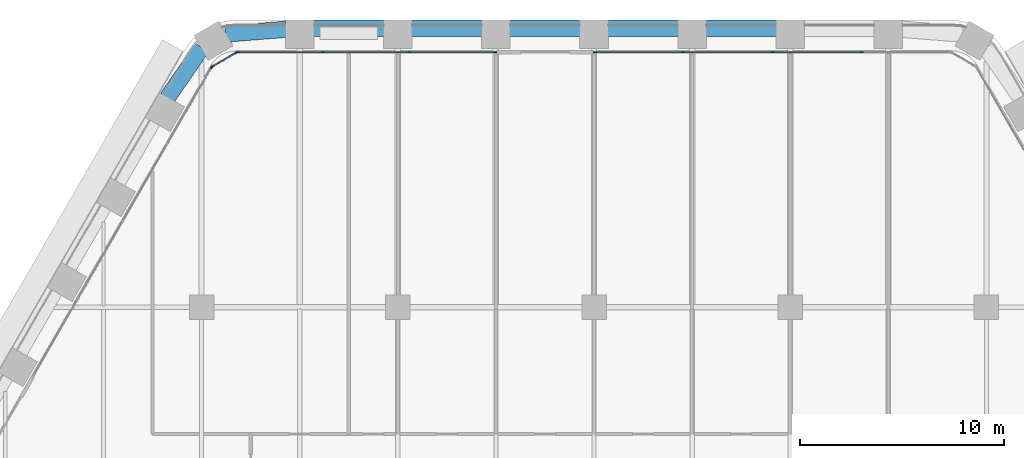
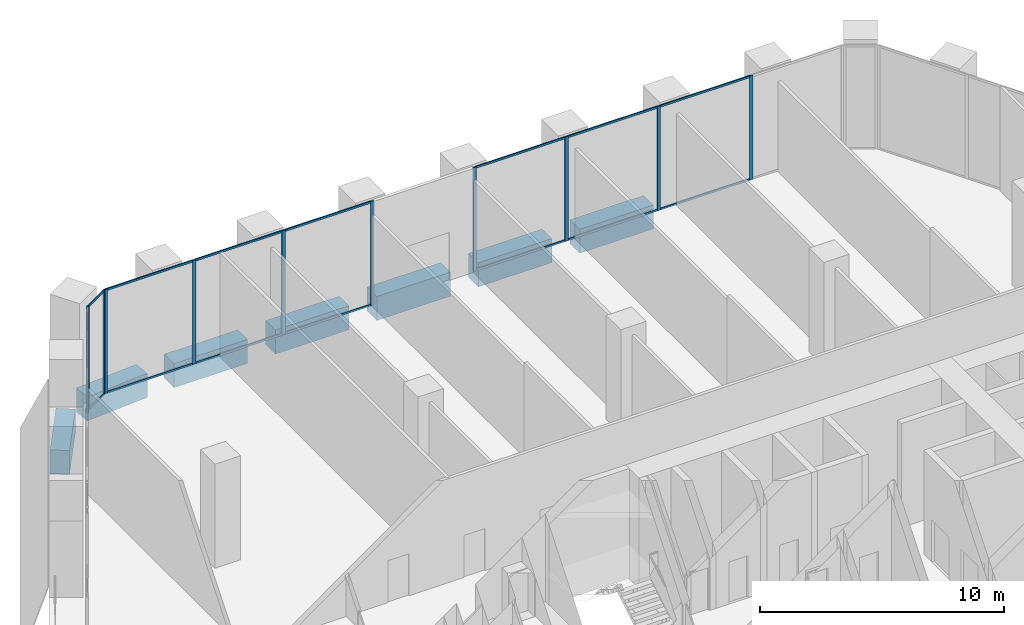
# One storey, part 13 of 27: 25 members, 7 beams, 4 elements without a shape of their own.
"""IFC4 building model written with IfcOpenShell, lengths in metres."""

from ifc_helpers import new_model, si_unit, direction, frame, origin, origin_2d, place, context, subcontext, project, spatial, rectangle, extrude, material, material_profile, profile_set, type_object, element, aggregate, save


model = new_model("IFC4")

# Units and contexts
model_context = context("Model", 3, precision=1e-05, world=origin(), true_north=direction((0.0, 1.0)))
body_context = subcontext(model_context, "Body", "Model", "MODEL_VIEW")
ifc_project = project(units=[si_unit("LENGTHUNIT", "METRE"), si_unit("AREAUNIT", "SQUARE_METRE"), si_unit("VOLUMEUNIT", "CUBIC_METRE"), si_unit("PLANEANGLEUNIT", "RADIAN"), si_unit("MASSUNIT", "GRAM", prefix="KILO")], contexts=[model_context])

# Site, building, storey
site_placement = place(None, origin())
site = spatial("IfcSite", under=ifc_project, at=site_placement, CompositionType="ELEMENT")
building_placement = place(site_placement, origin())
building = spatial("IfcBuilding", under=site, at=building_placement, Name="Kolab Exchange Tower", CompositionType="ELEMENT")
storey_placement = place(building_placement, frame((0.0, 0.0, 66.39990234375)))
storey = spatial("IfcBuildingStorey", under=building, at=storey_placement, Name="L12", CompositionType="ELEMENT", Elevation=66.39990234375)

# Beams
ifc_material_1 = material(Name="Concrete C80/95", Category="concrete")
ifc_material_profile_1 = material_profile(ifc_material_1, rectangle(XDim=0.800048828125, YDim=1.199951171875, at=origin_2d()), Name="RC800X1200")
ifc_profile_set_1 = profile_set([ifc_material_profile_1], Name="Concrete C80/95")
beam_type = type_object("IfcBeamType", Name="SPANDREL BEAM 800X1200 C80/95", PredefinedType="BEAM", material=ifc_profile_set_1)
beam_1_placement = place(storey_placement, frame((-18.03515625, 32.5654296875, -0.89990234375), z_axis=(0.996833978278, 0.07951112973, 0.0), x_axis=(-0.07951112973, 0.996833978278, 0.0)))
element("IfcBeam", 1, at=beam_1_placement, inside=storey, type_object=beam_type, Name="beam/L12/sp/F1-01", PredefinedType="BEAM", context=body_context, shape_type="SweptSolid", body=[
    extrude(rectangle(XDim=0.800048828125, YDim=1.199951171875, at=origin_2d()), origin(), (0.0, 0.0, 1.0), 2.984619140625),
])
for number, where, z_axis, x_axis, name in (
    (2, (-13.739990234375, 32.85546875, -0.89990234375), (1.0, 0.0, 0.0), (0.0, 1.0, 0.0), "beam/L12/sp/F1-02"),
    (3, (-8.93994140625, 32.85546875, -0.89990234375), (1.0, 0.0, 0.0), (0.0, 1.0, 0.0), "beam/L12/sp/F1-03"),
    (4, (-4.139892578125, 32.85546875, -0.89990234375), (1.0, 0.0, 0.0), (0.0, 1.0, 0.0), "beam/L12/sp/F1-04"),
    (5, (0.659912109375, 32.85546875, -0.89990234375), (1.0, 0.0, 0.0), (0.0, 1.0, 0.0), "beam/L12/sp/F1-05"),
    (6, (5.4599609375, 32.85546875, -0.89990234375), (1.0, 0.0, 0.0), (0.0, 1.0, 0.0), "beam/L12/sp/F1-06"),
):
    element("IfcBeam", number, at=place(storey_placement, frame(where, z_axis=z_axis, x_axis=x_axis)), inside=storey, type_object=beam_type, Name=name, PredefinedType="BEAM", context=body_context, shape_type="SweptSolid", body=[
        extrude(rectangle(XDim=0.800048828125, YDim=1.199951171875, at=origin_2d()), origin(), (0.0, 0.0, 1.0), 3.47998046875),
    ])
beam_2_placement = place(storey_placement, frame((-20.8779296875, 29.44384765625, -0.89990234375), z_axis=(0.567247290755, 0.823547516013, 0.0), x_axis=(-0.823547516013, 0.567247290755, 0.0)))
element("IfcBeam", 7, at=beam_2_placement, inside=storey, type_object=beam_type, Name="beam/L12/sp/F6-08", PredefinedType="BEAM", context=body_context, shape_type="SweptSolid", body=[
    extrude(rectangle(XDim=0.800048828125, YDim=1.199951171875, at=origin_2d()), origin(), (0.0, 0.0, 1.0), 2.984375),
])

# Curtain wall, members
ifc_material_2 = material(Name="Aluminium EN AW-6063 T6", Category="aluminium")
curtain_wall_type = type_object("IfcCurtainWallType", Name="UNITISED LOW ZONE CURTAIN WALL", PredefinedType="NOTDEFINED", material=ifc_material_2)
curtain_wall_1_placement = place(storey_placement, origin())
curtain_wall_1 = element("IfcCurtainWall", 8, at=curtain_wall_1_placement, inside=storey, type_object=curtain_wall_type, Name="cw/L12/F1-1", PredefinedType="NOTDEFINED")
ifc_material_profile_2 = material_profile(ifc_material_2, rectangle(XDim=0.06005859375, YDim=0.159912109375, at=origin_2d()), Name="RECT 60X160")
ifc_profile_set_2 = profile_set([ifc_material_profile_2], Name="Aluminium EN AW-6063 T6")
member_type_1 = type_object("IfcMemberType", Name="UNITISED LOW ZONE MULLION 60 X 160", PredefinedType="MULLION", material=ifc_profile_set_2)
member_1_placement = place(storey_placement, frame((-17.43798828125, 31.67529296875, 0.0), z_axis=(0.0, 0.0, 1.0), x_axis=(0.0, 1.0, 0.0)))
member_1 = element("IfcMember", 9, at=member_1_placement, type_object=member_type_1, Name="CW1 mullion 1", PredefinedType="MULLION", context=body_context, shape_type="SweptSolid", body=[
    extrude(rectangle(XDim=0.06005859375, YDim=0.159912109375, at=origin_2d()), origin(), (0.0, 0.0, 1.0), 5.2001953125),
])
member_2_placement = place(storey_placement, frame((-13.245361328125, 31.67529296875, 0.0), z_axis=(0.0, 0.0, 1.0), x_axis=(0.0, 1.0, 0.0)))
member_2 = element("IfcMember", 10, at=member_2_placement, type_object=member_type_1, Name="CW1 mullion 2", PredefinedType="MULLION", context=body_context, shape_type="SweptSolid", body=[
    extrude(rectangle(XDim=0.06005859375, YDim=0.159912109375, at=origin_2d()), origin(), (0.0, 0.0, 1.0), 5.2001953125),
])
member_3_placement = place(storey_placement, frame((-9.022705078125, 31.67529296875, 0.0), z_axis=(0.0, 0.0, 1.0), x_axis=(0.0, 1.0, 0.0)))
member_3 = element("IfcMember", 11, at=member_3_placement, type_object=member_type_1, Name="CW1 mullion 3", PredefinedType="MULLION", context=body_context, shape_type="SweptSolid", body=[
    extrude(rectangle(XDim=0.06005859375, YDim=0.159912109375, at=origin_2d()), origin(), (0.0, 0.0, 1.0), 5.2001953125),
])
member_4_placement = place(storey_placement, frame((-4.830078125, 31.67529296875, 0.0), z_axis=(0.0, 0.0, 1.0), x_axis=(0.0, 1.0, 0.0)))
member_4 = element("IfcMember", 12, at=member_4_placement, type_object=member_type_1, Name="CW1 mullion 4", PredefinedType="MULLION", context=body_context, shape_type="SweptSolid", body=[
    extrude(rectangle(XDim=0.06005859375, YDim=0.159912109375, at=origin_2d()), origin(), (0.0, 0.0, 1.0), 5.2001953125),
])

curtain_wall_2_placement = place(storey_placement, origin())
curtain_wall_2 = element("IfcCurtainWall", 13, at=curtain_wall_2_placement, inside=storey, type_object=curtain_wall_type, Name="cw/L12/F1-2", PredefinedType="NOTDEFINED")
member_5_placement = place(storey_placement, frame((0.030029296875, 31.67529296875, 0.0), z_axis=(0.0, 0.0, 1.0), x_axis=(0.0, 1.0, 0.0)))
member_5 = element("IfcMember", 14, at=member_5_placement, type_object=member_type_1, Name="CW1 mullion 1", PredefinedType="MULLION", context=body_context, shape_type="SweptSolid", body=[
    extrude(rectangle(XDim=0.06005859375, YDim=0.159912109375, at=origin_2d()), origin(), (0.0, 0.0, 1.0), 5.2001953125),
])
member_6_placement = place(storey_placement, frame((4.366943359375, 31.67529296875, 0.0), z_axis=(0.0, 0.0, 1.0), x_axis=(0.0, 1.0, 0.0)))
member_6 = element("IfcMember", 15, at=member_6_placement, type_object=member_type_1, Name="CW1 mullion 2", PredefinedType="MULLION", context=body_context, shape_type="SweptSolid", body=[
    extrude(rectangle(XDim=0.06005859375, YDim=0.159912109375, at=origin_2d()), origin(), (0.0, 0.0, 1.0), 5.2001953125),
])
member_7_placement = place(storey_placement, frame((8.73388671875, 31.67529296875, 0.0), z_axis=(0.0, 0.0, 1.0), x_axis=(0.0, 1.0, 0.0)))
member_7 = element("IfcMember", 16, at=member_7_placement, type_object=member_type_1, Name="CW1 mullion 3", PredefinedType="MULLION", context=body_context, shape_type="SweptSolid", body=[
    extrude(rectangle(XDim=0.06005859375, YDim=0.159912109375, at=origin_2d()), origin(), (0.0, 0.0, 1.0), 5.2001953125),
])
member_8_placement = place(storey_placement, frame((13.10107421875, 31.67529296875, 0.0), z_axis=(0.0, 0.0, 1.0), x_axis=(0.0, 1.0, 0.0)))
member_8 = element("IfcMember", 17, at=member_8_placement, type_object=member_type_1, Name="CW1 mullion 4", PredefinedType="MULLION", context=body_context, shape_type="SweptSolid", body=[
    extrude(rectangle(XDim=0.06005859375, YDim=0.159912109375, at=origin_2d()), origin(), (0.0, 0.0, 1.0), 5.2001953125),
])

# Curtain wall, member
curtain_wall_3_placement = place(storey_placement, origin())
curtain_wall_3 = element("IfcCurtainWall", 18, at=curtain_wall_3_placement, inside=storey, type_object=curtain_wall_type, Name="cw/L12/F6-2", PredefinedType="NOTDEFINED")
member_9_placement = place(storey_placement, frame((-18.712646484375, 30.939453125, 0.0), z_axis=(0.0, 0.0, 1.0), x_axis=(-0.866025397318, 0.5000000112, 0.0)))
member_9 = element("IfcMember", 19, at=member_9_placement, type_object=member_type_1, Name="CW1 mullion 5", PredefinedType="MULLION", context=body_context, shape_type="SweptSolid", body=[
    extrude(rectangle(XDim=0.06005859375, YDim=0.159912109375, at=origin_2d()), origin(), (0.0, 0.0, 1.0), 5.2001953125),
])
aggregate(curtain_wall_3, [member_9])

# Curtain wall, members
curtain_wall_4_placement = place(storey_placement, origin())
curtain_wall_4 = element("IfcCurtainWall", 20, at=curtain_wall_4_placement, inside=storey, type_object=curtain_wall_type, Name="cw/L12/F6F1-corner", PredefinedType="NOTDEFINED")
member_10_placement = place(storey_placement, frame((-18.671630859375, 30.98046875, 0.0), z_axis=(0.0, 0.0, 1.0), x_axis=(-0.50000002237, 0.866025390869, 0.0)))
member_10 = element("IfcMember", 21, at=member_10_placement, type_object=member_type_1, Name="CW1 mullion 1", PredefinedType="MULLION", context=body_context, shape_type="SweptSolid", body=[
    extrude(rectangle(XDim=0.06005859375, YDim=0.159912109375, at=origin_2d()), origin(), (0.0, 0.0, 1.0), 5.2001953125),
])
member_11_placement = place(storey_placement, frame((-17.493896484375, 31.660400390625, 0.0), z_axis=(0.0, 0.0, 1.0), x_axis=(-0.50000002237, 0.866025390869, 0.0)))
member_11 = element("IfcMember", 22, at=member_11_placement, type_object=member_type_1, Name="CW1 mullion 2", PredefinedType="MULLION", context=body_context, shape_type="SweptSolid", body=[
    extrude(rectangle(XDim=0.06005859375, YDim=0.159912109375, at=origin_2d()), origin(), (0.0, 0.0, 1.0), 5.2001953125),
])

# Member
ifc_material_profile_3 = material_profile(ifc_material_2, rectangle(XDim=0.06005859375, YDim=0.10009765625, at=origin_2d()), Name="RECT 60X100")
ifc_profile_set_3 = profile_set([ifc_material_profile_3], Name="Aluminium EN AW-6063 T6")
member_type_2 = type_object("IfcMemberType", Name="UNITISED LOW ZONE TRANSOM 60 X 100", PredefinedType="USERDEFINED", material=ifc_profile_set_3)
member_12_placement = place(storey_placement, frame((-17.407958984375, 31.67529296875, 0.030029296875), z_axis=(1.0, 0.0, 0.0), x_axis=(0.0, 1.0, 0.0)))
member_12 = element("IfcMember", 23, at=member_12_placement, type_object=member_type_2, Name="CW1 transom 1.1", ObjectType="TRANSOM", PredefinedType="USERDEFINED", context=body_context, shape_type="SweptSolid", body=[
    extrude(rectangle(XDim=0.06005859375, YDim=0.10009765625, at=origin_2d()), origin(), (0.0, 0.0, 1.0), 4.132568359375),
])

member_13_placement = place(storey_placement, frame((-17.407958984375, 31.67529296875, 5.170166015625), z_axis=(1.0, 0.0, 0.0), x_axis=(0.0, 1.0, 0.0)))
member_13 = element("IfcMember", 24, at=member_13_placement, type_object=member_type_2, Name="CW1 transom 1.2", ObjectType="TRANSOM", PredefinedType="USERDEFINED", context=body_context, shape_type="SweptSolid", body=[
    extrude(rectangle(XDim=0.06005859375, YDim=0.10009765625, at=origin_2d()), origin(), (0.0, 0.0, 1.0), 4.132568359375),
])

member_14_placement = place(storey_placement, frame((-13.21533203125, 31.67529296875, 0.030029296875), z_axis=(1.0, 0.0, 0.0), x_axis=(0.0, 1.0, 0.0)))
member_14 = element("IfcMember", 25, at=member_14_placement, type_object=member_type_2, Name="CW1 transom 2.1", ObjectType="TRANSOM", PredefinedType="USERDEFINED", context=body_context, shape_type="SweptSolid", body=[
    extrude(rectangle(XDim=0.06005859375, YDim=0.10009765625, at=origin_2d()), origin(), (0.0, 0.0, 1.0), 4.16259765625),
])

member_15_placement = place(storey_placement, frame((-13.21533203125, 31.67529296875, 5.170166015625), z_axis=(1.0, 0.0, 0.0), x_axis=(0.0, 1.0, 0.0)))
member_15 = element("IfcMember", 26, at=member_15_placement, type_object=member_type_2, Name="CW1 transom 2.2", ObjectType="TRANSOM", PredefinedType="USERDEFINED", context=body_context, shape_type="SweptSolid", body=[
    extrude(rectangle(XDim=0.06005859375, YDim=0.10009765625, at=origin_2d()), origin(), (0.0, 0.0, 1.0), 4.16259765625),
])

member_16_placement = place(storey_placement, frame((-8.99267578125, 31.67529296875, 0.030029296875), z_axis=(1.0, 0.0, 0.0), x_axis=(0.0, 1.0, 0.0)))
member_16 = element("IfcMember", 27, at=member_16_placement, type_object=member_type_2, Name="CW1 transom 3.1", ObjectType="TRANSOM", PredefinedType="USERDEFINED", context=body_context, shape_type="SweptSolid", body=[
    extrude(rectangle(XDim=0.06005859375, YDim=0.10009765625, at=origin_2d()), origin(), (0.0, 0.0, 1.0), 4.132568359375),
])

member_17_placement = place(storey_placement, frame((-8.99267578125, 31.67529296875, 5.170166015625), z_axis=(1.0, 0.0, 0.0), x_axis=(0.0, 1.0, 0.0)))
member_17 = element("IfcMember", 28, at=member_17_placement, type_object=member_type_2, Name="CW1 transom 3.2", ObjectType="TRANSOM", PredefinedType="USERDEFINED", context=body_context, shape_type="SweptSolid", body=[
    extrude(rectangle(XDim=0.06005859375, YDim=0.10009765625, at=origin_2d()), origin(), (0.0, 0.0, 1.0), 4.132568359375),
])

aggregate(curtain_wall_1, [member_1, member_2, member_3, member_4, member_12, member_13, member_14, member_15, member_16, member_17])

member_18_placement = place(storey_placement, frame((0.06005859375, 31.67529296875, 0.030029296875), z_axis=(1.0, 0.0, 0.0), x_axis=(0.0, 1.0, 0.0)))
member_18 = element("IfcMember", 29, at=member_18_placement, type_object=member_type_2, Name="CW1 transom 1.1", ObjectType="TRANSOM", PredefinedType="USERDEFINED", context=body_context, shape_type="SweptSolid", body=[
    extrude(rectangle(XDim=0.06005859375, YDim=0.10009765625, at=origin_2d()), origin(), (0.0, 0.0, 1.0), 4.27685546875),
])

member_19_placement = place(storey_placement, frame((0.06005859375, 31.67529296875, 5.170166015625), z_axis=(1.0, 0.0, 0.0), x_axis=(0.0, 1.0, 0.0)))
member_19 = element("IfcMember", 30, at=member_19_placement, type_object=member_type_2, Name="CW1 transom 1.2", ObjectType="TRANSOM", PredefinedType="USERDEFINED", context=body_context, shape_type="SweptSolid", body=[
    extrude(rectangle(XDim=0.06005859375, YDim=0.10009765625, at=origin_2d()), origin(), (0.0, 0.0, 1.0), 4.27685546875),
])

member_20_placement = place(storey_placement, frame((4.39697265625, 31.67529296875, 0.030029296875), z_axis=(1.0, 0.0, 0.0), x_axis=(0.0, 1.0, 0.0)))
member_20 = element("IfcMember", 31, at=member_20_placement, type_object=member_type_2, Name="CW1 transom 2.1", ObjectType="TRANSOM", PredefinedType="USERDEFINED", context=body_context, shape_type="SweptSolid", body=[
    extrude(rectangle(XDim=0.06005859375, YDim=0.10009765625, at=origin_2d()), origin(), (0.0, 0.0, 1.0), 4.306884765625),
])

member_21_placement = place(storey_placement, frame((4.39697265625, 31.67529296875, 5.170166015625), z_axis=(1.0, 0.0, 0.0), x_axis=(0.0, 1.0, 0.0)))
member_21 = element("IfcMember", 32, at=member_21_placement, type_object=member_type_2, Name="CW1 transom 2.2", ObjectType="TRANSOM", PredefinedType="USERDEFINED", context=body_context, shape_type="SweptSolid", body=[
    extrude(rectangle(XDim=0.06005859375, YDim=0.10009765625, at=origin_2d()), origin(), (0.0, 0.0, 1.0), 4.306884765625),
])

member_22_placement = place(storey_placement, frame((8.763916015625, 31.67529296875, 0.030029296875), z_axis=(1.0, 0.0, 0.0), x_axis=(0.0, 1.0, 0.0)))
member_22 = element("IfcMember", 33, at=member_22_placement, type_object=member_type_2, Name="CW1 transom 3.1", ObjectType="TRANSOM", PredefinedType="USERDEFINED", context=body_context, shape_type="SweptSolid", body=[
    extrude(rectangle(XDim=0.06005859375, YDim=0.10009765625, at=origin_2d()), origin(), (0.0, 0.0, 1.0), 4.30712890625),
])

member_23_placement = place(storey_placement, frame((8.763916015625, 31.67529296875, 5.170166015625), z_axis=(1.0, 0.0, 0.0), x_axis=(0.0, 1.0, 0.0)))
member_23 = element("IfcMember", 34, at=member_23_placement, type_object=member_type_2, Name="CW1 transom 3.2", ObjectType="TRANSOM", PredefinedType="USERDEFINED", context=body_context, shape_type="SweptSolid", body=[
    extrude(rectangle(XDim=0.06005859375, YDim=0.10009765625, at=origin_2d()), origin(), (0.0, 0.0, 1.0), 4.30712890625),
])

aggregate(curtain_wall_2, [member_5, member_6, member_7, member_8, member_18, member_19, member_20, member_21, member_22, member_23])

member_24_placement = place(storey_placement, frame((-18.645751953125, 30.995361328125, 0.030029296875), z_axis=(0.86603858612, 0.49997716683, 0.0), x_axis=(-0.49997716683, 0.86603858612, 0.0)))
member_24 = element("IfcMember", 35, at=member_24_placement, type_object=member_type_2, Name="CW1 transom 1.1", ObjectType="TRANSOM", PredefinedType="USERDEFINED", context=body_context, shape_type="SweptSolid", body=[
    extrude(rectangle(XDim=0.06005859375, YDim=0.10009765625, at=origin_2d()), origin(), (0.0, 0.0, 1.0), 1.2998046875),
])

member_25_placement = place(storey_placement, frame((-18.645751953125, 30.995361328125, 5.170166015625), z_axis=(0.86603858612, 0.49997716683, 0.0), x_axis=(-0.49997716683, 0.86603858612, 0.0)))
member_25 = element("IfcMember", 36, at=member_25_placement, type_object=member_type_2, Name="CW1 transom 1.2", ObjectType="TRANSOM", PredefinedType="USERDEFINED", context=body_context, shape_type="SweptSolid", body=[
    extrude(rectangle(XDim=0.06005859375, YDim=0.10009765625, at=origin_2d()), origin(), (0.0, 0.0, 1.0), 1.2998046875),
])

aggregate(curtain_wall_4, [member_10, member_11, member_24, member_25])

save(model, "model.ifc")
